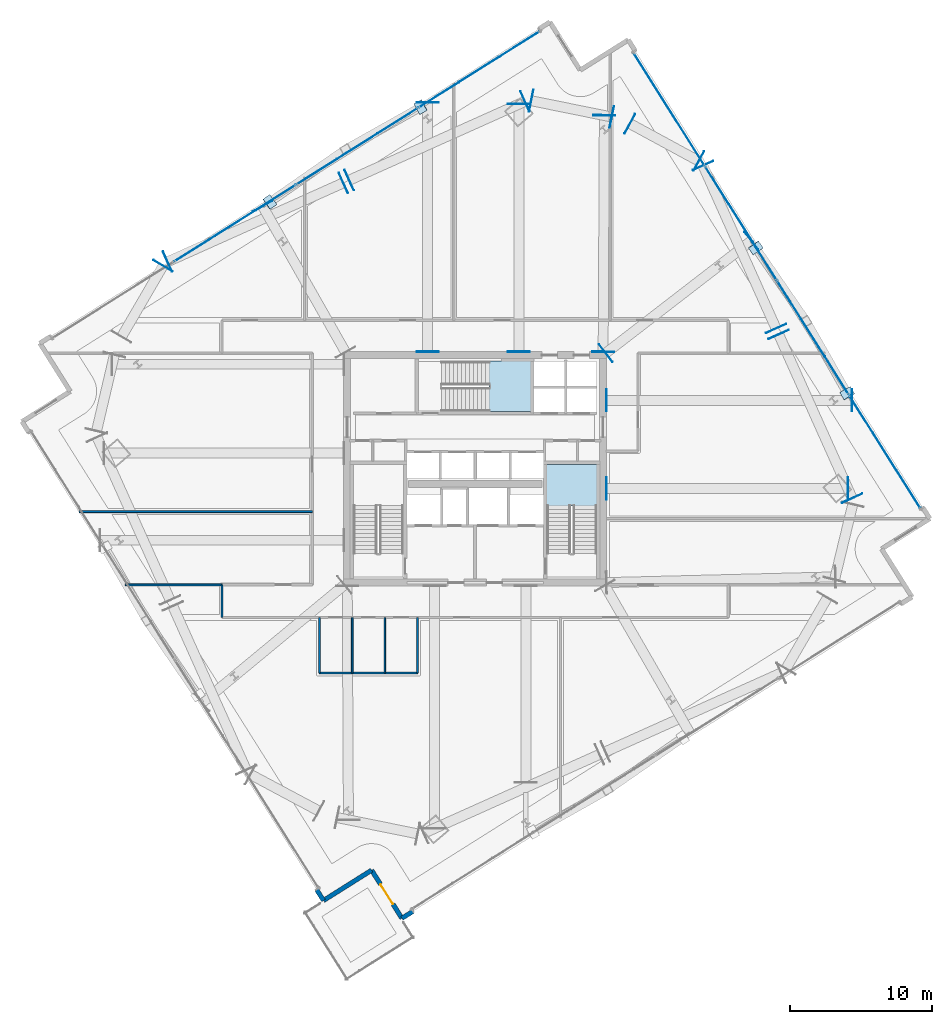
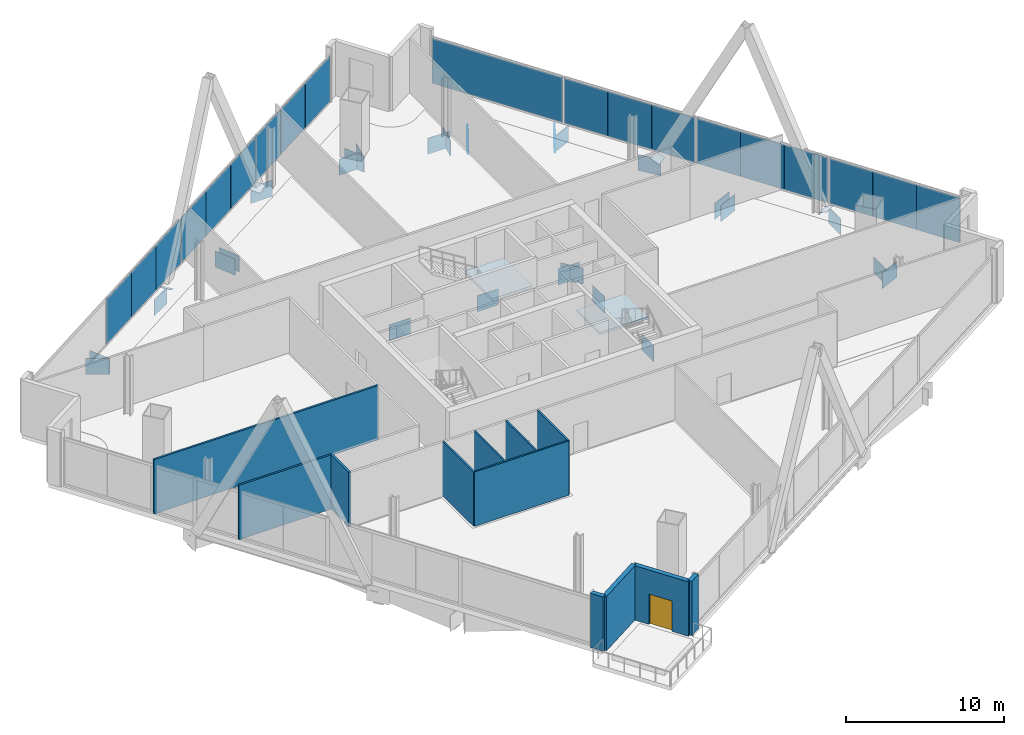
# One storey, part 21 of 29: 49 plates, 12 walls, 2 slabs, 1 door, 1 opening, 4 elements without a shape of their own.
"""IFC4 building model written with IfcOpenShell, lengths in metres."""

from ifc_helpers import new_model, si_unit, direction, frame, frame_2d, origin, origin_2d, place, context, subcontext, project, spatial, polyline, rectangle, outline, extrude, source, transform, mapped, material, layer, layer_set, type_object, element, fill, aggregate, save


model = new_model("IFC4")

# Units and contexts
model_context = context("Model", 3, precision=1e-05, world=origin(), true_north=direction((0.0, 1.0)))
body_context = subcontext(model_context, "Body", "Model", "MODEL_VIEW")
ifc_project = project(units=[si_unit("LENGTHUNIT", "METRE"), si_unit("AREAUNIT", "SQUARE_METRE"), si_unit("VOLUMEUNIT", "CUBIC_METRE"), si_unit("PLANEANGLEUNIT", "RADIAN"), si_unit("MASSUNIT", "GRAM", prefix="KILO")], contexts=[model_context])

# Site, building, storey
site_placement = place(None, origin())
site = spatial("IfcSite", under=ifc_project, at=site_placement, CompositionType="ELEMENT")
building_placement = place(site_placement, origin())
building = spatial("IfcBuilding", under=site, at=building_placement, Name="Haldenkirk Collegiate Tower", CompositionType="ELEMENT")
storey_placement = place(building_placement, frame((0.0, 0.0, 136.199951171875)))
storey = spatial("IfcBuildingStorey", under=building, at=storey_placement, Name="L33", CompositionType="ELEMENT", Elevation=136.199951171875)

# Stair, slab
ifc_material_1 = material(Name="Concrete f'c 40 MPa", Category="concrete")
stair_type = type_object("IfcStairType", Name="STR-DOGLEG-1650", PredefinedType="HALF_TURN_STAIR", material=ifc_material_1)
stair_1_placement = place(storey_placement, origin())
stair_1 = element("IfcStair", 1, at=stair_1_placement, inside=storey, type_object=stair_type, Name="L33 Core Exit Stair ST-2", PredefinedType="HALF_TURN_STAIR")
ifc_layer_1 = layer(ifc_material_1, 0.199951171875)
ifc_layer_set_1 = layer_set([ifc_layer_1], Name="Concrete f'c 40 MPa")
slab_type = type_object("IfcSlabType", Name="SLB-LANDING-200", PredefinedType="LANDING", material=ifc_layer_set_1)
slab_1_placement = place(storey_placement, frame((0.0, 0.0, 2.050048828125)))
slab_1 = element("IfcSlab", 2, at=slab_1_placement, type_object=slab_type, Name="ST-2 landing 1", PredefinedType="LANDING", context=body_context, shape_type="SweptSolid", body=[
    extrude(outline(polyline([(44.574951171875, 23.385009765625), (41.02490234375, 23.385009765625), (41.02490234375, 26.324951171875), (44.574951171875, 26.324951171875), (44.574951171875, 23.385009765625)])), origin(), (0.0, 0.0, 1.0), 0.199951171875),
])
aggregate(stair_1, [slab_1])

stair_2_placement = place(storey_placement, origin())
stair_2 = element("IfcStair", 3, at=stair_2_placement, inside=storey, type_object=stair_type, Name="L33 Core Exit Stair ST-3", PredefinedType="HALF_TURN_STAIR")
slab_2_placement = place(storey_placement, frame((0.0, 0.0, 2.050048828125)))
slab_2 = element("IfcSlab", 4, at=slab_2_placement, type_object=slab_type, Name="ST-3 landing 1", PredefinedType="LANDING", context=body_context, shape_type="SweptSolid", body=[
    extrude(outline(polyline([(36.985107421875, 30.02490234375), (36.985107421875, 33.574951171875), (39.925048828125, 33.574951171875), (39.925048828125, 30.02490234375), (36.985107421875, 30.02490234375)])), origin(), (0.0, 0.0, 1.0), 0.199951171875),
])
aggregate(stair_2, [slab_2])

# Plates
ifc_material_2 = material(Name="Steel ASTM A572 Grade 50", Category="steel")
ifc_layer_2 = layer(ifc_material_2, 0.0400390625)
ifc_layer_set_2 = layer_set([ifc_layer_2], Name="Steel ASTM A572 Grade 50")
plate_type_1 = type_object("IfcPlateType", Name="PLT-CAP-MEGA-1240X980", PredefinedType="USERDEFINED", material=ifc_layer_set_2)
shared_shape_1 = source(origin(), body_context, "Body", "SweptSolid", [
    extrude(rectangle(XDim=1.56005859375, YDim=1.239990234375, at=origin_2d()), origin(), (0.0, 0.0, 1.0), 0.0400390625),
])
for number, where, z_axis, x_axis, name in (
    (5, (62.5068359375, 23.9541015625, -1.14990234375), (0.40912883345, -0.912476628545, 0.0), (0.912476628545, 0.40912883345, 0.0), "L33 sky-lobby perimeter transfer girder 06 end cap plate 1"),
    (6, (57.35693359375, 35.4404296875, -1.14990234375), (-0.40912883345, 0.912476628545, 0.0), (-0.912476628545, -0.40912883345, 0.0), "L33 sky-lobby perimeter transfer girder 06 end cap plate 2"),
    (7, (57.153564453125, 35.89404296875, -1.14990234375), (0.40913207793, -0.912475173804, 0.0), (0.912475173804, 0.40913207793, 0.0), "L33 sky-lobby perimeter transfer girder 07 end cap plate 1"),
    (8, (52.031982421875, 47.31640625, -1.14990234375), (-0.40913207793, 0.912475173804, 0.0), (-0.912475173804, -0.40913207793, 0.0), "L33 sky-lobby perimeter transfer girder 07 end cap plate 2"),
    (9, (51.7119140625, 47.66162109375, -1.14990234375), (0.87882723046, -0.477140125123, 0.0), (0.477140125123, 0.87882723046, 0.0), "L33 sky-lobby perimeter transfer girder 08 end cap plate 1"),
    (10, (46.9033203125, 50.2724609375, -1.14990234375), (-0.87882723046, 0.477140125123, 0.0), (-0.477140125123, -0.87882723046, 0.0), "L33 sky-lobby perimeter transfer girder 08 end cap plate 2"),
    (11, (45.587158203125, 50.750732421875, -1.14990234375), (0.98007090545, -0.198647980836, 0.0), (0.198647980836, 0.98007090545, 0.0), "L33 sky-lobby perimeter transfer girder 09 end cap plate 1"),
    (12, (39.959716796875, 51.8916015625, -1.14990234375), (-0.98007090545, 0.198647980836, 0.0), (-0.198647980836, -0.98007090545, 0.0), "L33 sky-lobby perimeter transfer girder 09 end cap plate 2"),
    (13, (39.489501953125, 51.839111328125, -1.14990234375), (0.912476628545, 0.40912883345, 0.0), (-0.40912883345, 0.912476628545, 0.0), "L33 sky-lobby perimeter transfer girder 10 end cap plate 1"),
    (14, (27.16455078125, 46.31298828125, -1.14990234375), (-0.912476628545, -0.40912883345, 0.0), (0.40912883345, -0.912476628545, 0.0), "L33 sky-lobby perimeter transfer girder 10 end cap plate 2"),
    (15, (26.7109375, 46.109619140625, -1.14990234375), (0.912475714515, 0.409130871996, 0.0), (-0.409130871996, 0.912475714515, 0.0), "L33 sky-lobby perimeter transfer girder 11 end cap plate 1"),
    (16, (14.38623046875, 40.583740234375, -1.14990234375), (-0.912475714515, -0.409130871996, 0.0), (0.409130871996, -0.912475714515, 0.0), "L33 sky-lobby perimeter transfer girder 11 end cap plate 2"),
    (17, (14.034423828125, 40.267333984375, -1.14990234375), (0.503656129049, 0.863904221353, 0.0), (-0.863904221353, 0.503656129049, 0.0), "L33 sky-lobby perimeter transfer girder 12 end cap plate 1"),
    (18, (62.201416015625, 24.62890625, -1.14990234375), (1.0, 0.0, 0.0), (0.0, 1.0, 0.0), "L33 sky-lobby radial transfer girder 02 end cap plate 1"),
    (19, (45.258056640625, 24.62890625, -1.14990234375), (-1.0, 0.0, 0.0), (0.0, -1.0, 0.0), "L33 sky-lobby radial transfer girder 02 end cap plate 2"),
    (20, (39.076904296875, 51.651123046875, -1.14990234375), (0.0, 1.0, 0.0), (-1.0, 0.0, 0.0), "L33 sky-lobby radial transfer girder 03 end cap plate 1"),
    (21, (39.076904296875, 34.258056640625, -1.14990234375), (0.0, -1.0, 0.0), (1.0, 0.0, 0.0), "L33 sky-lobby radial transfer girder 03 end cap plate 2"),
    (22, (62.4794921875, 30.82421875, -1.14990234375), (1.0, 0.0, 0.0), (0.0, 1.0, 0.0), "L33 sky-lobby radial transfer girder 08 end cap plate 1"),
    (23, (45.258056640625, 30.82421875, -1.14990234375), (-1.0, 0.0, 0.0), (0.0, -1.0, 0.0), "L33 sky-lobby radial transfer girder 08 end cap plate 2"),
    (24, (55.416015625, 42.0400390625, -1.14990234375), (0.791605934985, 0.611031949816, 0.0), (-0.611031949816, 0.791605934985, 0.0), "L33 sky-lobby radial transfer girder 09 end cap plate 1"),
    (25, (45.204345703125, 34.15771484375, -1.14990234375), (-0.791605934985, -0.611031949816, 0.0), (0.611031949816, -0.791605934985, 0.0), "L33 sky-lobby radial transfer girder 09 end cap plate 2"),
    (26, (45.0849609375, 50.849609375, -1.14990234375), (0.005037001583, 0.999987314227, 0.0), (-0.999987314227, 0.005037001583, 0.0), "L33 sky-lobby radial transfer girder 10 end cap plate 1"),
    (27, (45.001220703125, 34.258056640625, -1.14990234375), (-0.005037001583, -0.999987314227, 0.0), (0.999987314227, -0.005037001583, 0.0), "L33 sky-lobby radial transfer girder 10 end cap plate 2"),
    (28, (32.657470703125, 51.758056640625, -1.14990234375), (0.0, 1.0, 0.0), (-1.0, 0.0, 0.0), "L33 sky-lobby radial transfer girder 11 end cap plate 1"),
    (29, (32.657470703125, 34.258056640625, -1.14990234375), (0.0, -1.0, 0.0), (1.0, 0.0, 0.0), "L33 sky-lobby radial transfer girder 11 end cap plate 2"),
    (30, (21.063232421875, 44.456298828125, -1.14990234375), (-0.493737119363, 0.869611210233, 0.0), (-0.869611210233, -0.493737119363, 0.0), "L33 sky-lobby radial transfer girder 12 end cap plate 1"),
):
    element("IfcPlate", number, at=place(storey_placement, frame(where, z_axis=z_axis, x_axis=x_axis)), inside=storey, type_object=plate_type_1, Name=name, ObjectType="END CAP PLATE", PredefinedType="USERDEFINED", context=body_context, shape_type="MappedRepresentation", body=[
        mapped(shared_shape_1, transform((0.0, 0.0, 0.0), x_axis=(1.0, 0.0, 0.0), y_axis=(0.0, 1.0, 0.0), z_axis=(0.0, 0.0, 1.0), scale=1.0)),
    ])
ifc_layer_3 = layer(ifc_material_2, 0.034912109375)
ifc_layer_set_3 = layer_set([ifc_layer_3], Name="Steel ASTM A572 Grade 50")
plate_type_2 = type_object("IfcPlateType", Name="PLT-CAP-EXT-760X600", PredefinedType="USERDEFINED", material=ifc_layer_set_3)
shared_shape_2 = source(origin(), body_context, "Body", "SweptSolid", [
    extrude(rectangle(XDim=0.860107421875, YDim=0.659912109375, at=origin_2d()), origin(), (0.0, 0.0, 1.0), 0.034912109375),
])
for number, where, z_axis, x_axis, name in (
    (31, (62.162353515625, 31.3330078125, -0.407470703125), (0.213793124675, -0.376348219471, -0.901473525703), (0.869497686663, 0.493937013076, 3.4602e-07), "Perimeter Mega Brace Z3 L33-L35 EL end cap plate 1"),
    (32, (55.739013671875, 41.532958984375, -0.4072265625), (-0.260663962055, 0.377608945032, -0.888518870659), (-0.822964485635, -0.568092822859, 2.83547e-07), "Perimeter Mega Brace Z3 L33-L35 ER end cap plate 1"),
    (33, (32.1484375, 51.440673828125, -0.4072265625), (0.388689008173, 0.218536004595, -0.895077018821), (-0.490088028787, 0.87167294557, 1.03915e-07), "Perimeter Mega Brace Z3 L33-L35 NL end cap plate 1"),
    (34, (21.57080078125, 44.779296875, -0.407470703125), (-0.387378015722, -0.26979001095, -0.881562035779), (0.571506944424, -0.820597229141, -3.29718e-07), "Perimeter Mega Brace Z3 L33-L35 NR end cap plate 1"),
):
    element("IfcPlate", number, at=place(storey_placement, frame(where, z_axis=z_axis, x_axis=x_axis)), inside=storey, type_object=plate_type_2, Name=name, ObjectType="END CAP PLATE", PredefinedType="USERDEFINED", context=body_context, shape_type="MappedRepresentation", body=[
        mapped(shared_shape_2, transform((0.0, 0.0, 0.0), x_axis=(1.0, 0.0, 0.0), y_axis=(0.0, 1.0, 0.0), z_axis=(0.0, 0.0, 1.0), scale=1.0)),
    ])

# Curtain wall, plates
ifc_material_3 = material(Name="Anodised architectural bronze aluminium", Category="aluminium")
curtain_wall_type = type_object("IfcCurtainWallType", Name="CW-SYS4-SKYGARDEN", PredefinedType="USERDEFINED", material=ifc_material_3)
curtain_wall_1_placement = place(storey_placement, origin())
curtain_wall_1 = element("IfcCurtainWall", 35, at=curtain_wall_1_placement, inside=storey, type_object=curtain_wall_type, Name="L33 Sky-garden tall bronze curtain wall", ObjectType="UNITISED CURTAIN WALL", PredefinedType="USERDEFINED")
ifc_material_4 = material(Name="Low-E argon triple insulating glass", Category="glass")
ifc_layer_4 = layer(ifc_material_4, 0.0458984375)
ifc_layer_set_4 = layer_set([ifc_layer_4], Name="Low-E argon triple insulating glass")
plate_type_3 = type_object("IfcPlateType", Name="CW-PNL-04", PredefinedType="CURTAIN_PANEL", material=ifc_layer_set_4)
shared_shape_3 = source(origin(), body_context, "Body", "SweptSolid", [
    extrude(rectangle(XDim=3.3408203125, YDim=0.0458984375, at=origin_2d()), origin(), (0.0, 0.0, 1.0), 3.48095703125),
])
plate_1_placement = place(storey_placement, frame((16.276123046875, 41.492431640625, 0.090087890625), z_axis=(0.0, 0.0, 1.0), x_axis=(0.846192610993, 0.532877157609, 0.0)))
plate_1 = element("IfcPlate", 36, at=plate_1_placement, type_object=plate_type_3, Name="CW-04 panel 2.1a", PredefinedType="CURTAIN_PANEL", context=body_context, shape_type="MappedRepresentation", body=[
    mapped(shared_shape_3, transform((0.0, 0.0, 0.0), x_axis=(1.0, 0.0, 0.0), y_axis=(0.0, 1.0, 0.0), z_axis=(0.0, 0.0, 1.0), scale=1.0)),
])
ifc_material_5 = material(Name="Bronze-anodised insulated aluminium spandrel panel", Category="aluminium")
ifc_layer_5 = layer(ifc_material_5, 0.0458984375)
ifc_layer_set_5 = layer_set([ifc_layer_5], Name="Bronze-anodised insulated aluminium spandrel panel")
plate_type_4 = type_object("IfcPlateType", Name="CW-SPD-04", PredefinedType="CURTAIN_PANEL", material=ifc_layer_set_5)
plate_2_placement = place(storey_placement, frame((21.9619140625, 45.072998046875, 0.090087890625), z_axis=(0.0, 0.0, 1.0), x_axis=(0.846192610993, 0.532877157609, 0.0)))
plate_2 = element("IfcPlate", 37, at=plate_2_placement, type_object=plate_type_4, Name="CW-04 spandrel panel 2.1c", PredefinedType="CURTAIN_PANEL", context=body_context, shape_type="MappedRepresentation", body=[
    mapped(shared_shape_3, transform((0.0, 0.0, 0.0), x_axis=(1.0, 0.0, 0.0), y_axis=(0.0, 1.0, 0.0), z_axis=(0.0, 0.0, 1.0), scale=1.0)),
])
plate_3_placement = place(storey_placement, frame((24.864990234375, 46.901123046875, 0.090087890625), z_axis=(0.0, 0.0, 1.0), x_axis=(0.846192610993, 0.532877157609, 0.0)))
plate_3 = element("IfcPlate", 38, at=plate_3_placement, type_object=plate_type_4, Name="CW-04 spandrel panel 3.1a", PredefinedType="CURTAIN_PANEL", context=body_context, shape_type="MappedRepresentation", body=[
    mapped(shared_shape_3, transform((0.0, 0.0, 0.0), x_axis=(1.0, 0.0, 0.0), y_axis=(0.0, 1.0, 0.0), z_axis=(0.0, 0.0, 1.0), scale=1.0)),
])
plate_4_placement = place(storey_placement, frame((30.55078125, 50.481689453125, 0.090087890625), z_axis=(0.0, 0.0, 1.0), x_axis=(0.846192610993, 0.532877157609, 0.0)))
plate_4 = element("IfcPlate", 39, at=plate_4_placement, type_object=plate_type_4, Name="CW-04 spandrel panel 3.1c", PredefinedType="CURTAIN_PANEL", context=body_context, shape_type="MappedRepresentation", body=[
    mapped(shared_shape_3, transform((0.0, 0.0, 0.0), x_axis=(1.0, 0.0, 0.0), y_axis=(0.0, 1.0, 0.0), z_axis=(0.0, 0.0, 1.0), scale=1.0)),
])
shared_shape_4 = source(origin(), body_context, "Body", "SweptSolid", [
    extrude(rectangle(XDim=3.328369140625, YDim=0.0458984375, at=origin_2d()), origin(), (0.0, 0.0, 1.0), 3.48095703125),
])
plate_5_placement = place(storey_placement, frame((19.118896484375, 43.28271484375, 0.090087890625), z_axis=(0.0, 0.0, 1.0), x_axis=(0.846192610993, 0.532877157609, 0.0)))
plate_5 = element("IfcPlate", 40, at=plate_5_placement, type_object=plate_type_3, Name="CW-04 panel 2.1b", PredefinedType="CURTAIN_PANEL", context=body_context, shape_type="MappedRepresentation", body=[
    mapped(shared_shape_4, transform((0.0, 0.0, 0.0), x_axis=(1.0, 0.0, 0.0), y_axis=(0.0, 1.0, 0.0), z_axis=(0.0, 0.0, 1.0), scale=1.0)),
])
plate_6_placement = place(storey_placement, frame((27.707763671875, 48.69140625, 0.090087890625), z_axis=(0.0, 0.0, 1.0), x_axis=(0.846192610993, 0.532877157609, 0.0)))
plate_6 = element("IfcPlate", 41, at=plate_6_placement, type_object=plate_type_3, Name="CW-04 panel 3.1b", PredefinedType="CURTAIN_PANEL", context=body_context, shape_type="MappedRepresentation", body=[
    mapped(shared_shape_4, transform((0.0, 0.0, 0.0), x_axis=(1.0, 0.0, 0.0), y_axis=(0.0, 1.0, 0.0), z_axis=(0.0, 0.0, 1.0), scale=1.0)),
])
shared_shape_5 = source(origin(), body_context, "Body", "SweptSolid", [
    extrude(rectangle(XDim=3.32568359375, YDim=0.0458984375, at=origin_2d()), origin(), (0.0, 0.0, 1.0), 3.48095703125),
])
plate_7_placement = place(storey_placement, frame((33.447509765625, 52.305908203125, 0.090087890625), z_axis=(0.0, 0.0, 1.0), x_axis=(0.846192610993, 0.532877157609, 0.0)))
plate_7 = element("IfcPlate", 42, at=plate_7_placement, type_object=plate_type_4, Name="CW-04 spandrel panel 4.1a", PredefinedType="CURTAIN_PANEL", context=body_context, shape_type="MappedRepresentation", body=[
    mapped(shared_shape_5, transform((0.0, 0.0, 0.0), x_axis=(1.0, 0.0, 0.0), y_axis=(0.0, 1.0, 0.0), z_axis=(0.0, 0.0, 1.0), scale=1.0)),
])
plate_8_placement = place(storey_placement, frame((39.10791015625, 55.870361328125, 0.090087890625), z_axis=(0.0, 0.0, 1.0), x_axis=(0.846192610993, 0.532877157609, 0.0)))
plate_8 = element("IfcPlate", 43, at=plate_8_placement, type_object=plate_type_3, Name="CW-04 panel 4.1c", PredefinedType="CURTAIN_PANEL", context=body_context, shape_type="MappedRepresentation", body=[
    mapped(shared_shape_5, transform((0.0, 0.0, 0.0), x_axis=(1.0, 0.0, 0.0), y_axis=(0.0, 1.0, 0.0), z_axis=(0.0, 0.0, 1.0), scale=1.0)),
])
shared_shape_6 = source(origin(), body_context, "Body", "SweptSolid", [
    extrude(rectangle(XDim=3.313232421875, YDim=0.0458984375, at=origin_2d()), origin(), (0.0, 0.0, 1.0), 3.48095703125),
])
plate_9_placement = place(storey_placement, frame((36.277587890625, 54.088134765625, 0.090087890625), z_axis=(0.0, 0.0, 1.0), x_axis=(0.846192610993, 0.532877157609, 0.0)))
plate_9 = element("IfcPlate", 44, at=plate_9_placement, type_object=plate_type_3, Name="CW-04 panel 4.1b", PredefinedType="CURTAIN_PANEL", context=body_context, shape_type="MappedRepresentation", body=[
    mapped(shared_shape_6, transform((0.0, 0.0, 0.0), x_axis=(1.0, 0.0, 0.0), y_axis=(0.0, 1.0, 0.0), z_axis=(0.0, 0.0, 1.0), scale=1.0)),
])
aggregate(curtain_wall_1, [plate_1, plate_5, plate_2, plate_3, plate_6, plate_4, plate_7, plate_9, plate_8])

curtain_wall_2_placement = place(storey_placement, origin())
curtain_wall_2 = element("IfcCurtainWall", 45, at=curtain_wall_2_placement, inside=storey, type_object=curtain_wall_type, Name="L33 Sky-garden tall bronze curtain wall", ObjectType="UNITISED CURTAIN WALL", PredefinedType="USERDEFINED")
shared_shape_7 = source(origin(), body_context, "Body", "SweptSolid", [
    extrude(rectangle(XDim=9.364990234375, YDim=0.0458984375, at=origin_2d()), origin(), (0.0, 0.0, 1.0), 3.48095703125),
])
plate_10_placement = place(storey_placement, frame((49.6435546875, 51.287109375, 0.090087890625), z_axis=(0.0, 0.0, 1.0), x_axis=(0.532876782879, -0.846192846973, 0.0)))
plate_10 = element("IfcPlate", 46, at=plate_10_placement, type_object=plate_type_3, Name="CW-04 panel 1.1", PredefinedType="CURTAIN_PANEL", context=body_context, shape_type="MappedRepresentation", body=[
    mapped(shared_shape_7, transform((0.0, 0.0, 0.0), x_axis=(1.0, 0.0, 0.0), y_axis=(0.0, 1.0, 0.0), z_axis=(0.0, 0.0, 1.0), scale=1.0)),
])
shared_shape_8 = source(origin(), body_context, "Body", "SweptSolid", [
    extrude(rectangle(XDim=3.124267578125, YDim=0.0458984375, at=origin_2d()), origin(), (0.0, 0.0, 1.0), 3.48095703125),
])
plate_11_placement = place(storey_placement, frame((53.01904296875, 45.927001953125, 0.090087890625), z_axis=(0.0, 0.0, 1.0), x_axis=(0.532876782879, -0.846192846973, 0.0)))
plate_11 = element("IfcPlate", 47, at=plate_11_placement, type_object=plate_type_3, Name="CW-04 panel 2.1a", PredefinedType="CURTAIN_PANEL", context=body_context, shape_type="MappedRepresentation", body=[
    mapped(shared_shape_8, transform((0.0, 0.0, 0.0), x_axis=(1.0, 0.0, 0.0), y_axis=(0.0, 1.0, 0.0), z_axis=(0.0, 0.0, 1.0), scale=1.0)),
])
plate_12_placement = place(storey_placement, frame((56.36865234375, 40.60791015625, 0.090087890625), z_axis=(0.0, 0.0, 1.0), x_axis=(0.532876782879, -0.846192846973, 0.0)))
plate_12 = element("IfcPlate", 48, at=plate_12_placement, type_object=plate_type_4, Name="CW-04 spandrel panel 2.1c", PredefinedType="CURTAIN_PANEL", context=body_context, shape_type="MappedRepresentation", body=[
    mapped(shared_shape_8, transform((0.0, 0.0, 0.0), x_axis=(1.0, 0.0, 0.0), y_axis=(0.0, 1.0, 0.0), z_axis=(0.0, 0.0, 1.0), scale=1.0)),
])
plate_13_placement = place(storey_placement, frame((58.081298828125, 37.887939453125, 0.090087890625), z_axis=(0.0, 0.0, 1.0), x_axis=(0.532876782879, -0.846192846973, 0.0)))
plate_13 = element("IfcPlate", 49, at=plate_13_placement, type_object=plate_type_3, Name="CW-04 panel 3.1a", PredefinedType="CURTAIN_PANEL", context=body_context, shape_type="MappedRepresentation", body=[
    mapped(shared_shape_8, transform((0.0, 0.0, 0.0), x_axis=(1.0, 0.0, 0.0), y_axis=(0.0, 1.0, 0.0), z_axis=(0.0, 0.0, 1.0), scale=1.0)),
])
plate_14_placement = place(storey_placement, frame((61.430908203125, 32.569091796875, 0.090087890625), z_axis=(0.0, 0.0, 1.0), x_axis=(0.532876782879, -0.846192846973, 0.0)))
plate_14 = element("IfcPlate", 50, at=plate_14_placement, type_object=plate_type_4, Name="CW-04 spandrel panel 3.1c", PredefinedType="CURTAIN_PANEL", context=body_context, shape_type="MappedRepresentation", body=[
    mapped(shared_shape_8, transform((0.0, 0.0, 0.0), x_axis=(1.0, 0.0, 0.0), y_axis=(0.0, 1.0, 0.0), z_axis=(0.0, 0.0, 1.0), scale=1.0)),
])
shared_shape_9 = source(origin(), body_context, "Body", "SweptSolid", [
    extrude(rectangle(XDim=3.11181640625, YDim=0.0458984375, at=origin_2d()), origin(), (0.0, 0.0, 1.0), 3.48095703125),
])
plate_15_placement = place(storey_placement, frame((54.69384765625, 43.267333984375, 0.090087890625), z_axis=(0.0, 0.0, 1.0), x_axis=(0.532876782879, -0.846192846973, 0.0)))
plate_15 = element("IfcPlate", 51, at=plate_15_placement, type_object=plate_type_3, Name="CW-04 panel 2.1b", PredefinedType="CURTAIN_PANEL", context=body_context, shape_type="MappedRepresentation", body=[
    mapped(shared_shape_9, transform((0.0, 0.0, 0.0), x_axis=(1.0, 0.0, 0.0), y_axis=(0.0, 1.0, 0.0), z_axis=(0.0, 0.0, 1.0), scale=1.0)),
])
plate_16_placement = place(storey_placement, frame((59.756103515625, 35.228515625, 0.090087890625), z_axis=(0.0, 0.0, 1.0), x_axis=(0.532876782879, -0.846192846973, 0.0)))
plate_16 = element("IfcPlate", 52, at=plate_16_placement, type_object=plate_type_3, Name="CW-04 panel 3.1b", PredefinedType="CURTAIN_PANEL", context=body_context, shape_type="MappedRepresentation", body=[
    mapped(shared_shape_9, transform((0.0, 0.0, 0.0), x_axis=(1.0, 0.0, 0.0), y_axis=(0.0, 1.0, 0.0), z_axis=(0.0, 0.0, 1.0), scale=1.0)),
])
shared_shape_10 = source(origin(), body_context, "Body", "SweptSolid", [
    extrude(rectangle(XDim=3.109130859375, YDim=0.0458984375, at=origin_2d()), origin(), (0.0, 0.0, 1.0), 3.48095703125),
])
plate_17_placement = place(storey_placement, frame((63.139892578125, 29.855712890625, 0.090087890625), z_axis=(0.0, 0.0, 1.0), x_axis=(0.532876782879, -0.846192846973, 0.0)))
plate_17 = element("IfcPlate", 53, at=plate_17_placement, type_object=plate_type_4, Name="CW-04 spandrel panel 4.1a", PredefinedType="CURTAIN_PANEL", context=body_context, shape_type="MappedRepresentation", body=[
    mapped(shared_shape_10, transform((0.0, 0.0, 0.0), x_axis=(1.0, 0.0, 0.0), y_axis=(0.0, 1.0, 0.0), z_axis=(0.0, 0.0, 1.0), scale=1.0)),
])
plate_18_placement = place(storey_placement, frame((66.473388671875, 24.56201171875, 0.090087890625), z_axis=(0.0, 0.0, 1.0), x_axis=(0.532876782879, -0.846192846973, 0.0)))
plate_18 = element("IfcPlate", 54, at=plate_18_placement, type_object=plate_type_3, Name="CW-04 panel 4.1c", PredefinedType="CURTAIN_PANEL", context=body_context, shape_type="MappedRepresentation", body=[
    mapped(shared_shape_10, transform((0.0, 0.0, 0.0), x_axis=(1.0, 0.0, 0.0), y_axis=(0.0, 1.0, 0.0), z_axis=(0.0, 0.0, 1.0), scale=1.0)),
])
shared_shape_11 = source(origin(), body_context, "Body", "SweptSolid", [
    extrude(rectangle(XDim=3.0966796875, YDim=0.0458984375, at=origin_2d()), origin(), (0.0, 0.0, 1.0), 3.48095703125),
])
plate_19_placement = place(storey_placement, frame((64.806396484375, 27.208740234375, 0.090087890625), z_axis=(0.0, 0.0, 1.0), x_axis=(0.532876782879, -0.846192846973, 0.0)))
plate_19 = element("IfcPlate", 55, at=plate_19_placement, type_object=plate_type_3, Name="CW-04 panel 4.1b", PredefinedType="CURTAIN_PANEL", context=body_context, shape_type="MappedRepresentation", body=[
    mapped(shared_shape_11, transform((0.0, 0.0, 0.0), x_axis=(1.0, 0.0, 0.0), y_axis=(0.0, 1.0, 0.0), z_axis=(0.0, 0.0, 1.0), scale=1.0)),
])
aggregate(curtain_wall_2, [plate_10, plate_11, plate_15, plate_12, plate_13, plate_16, plate_14, plate_17, plate_19, plate_18])

# Walls
ifc_material_6 = material(Name="Precast concrete f'c 40 MPa", Category="concrete")
ifc_layer_6 = layer(ifc_material_6, 0.320068359375)
ifc_layer_set_6 = layer_set([ifc_layer_6], Name="Precast concrete f'c 40 MPa")
wall_type_1 = type_object("IfcWallType", Name="WL-EXT-TWR-320", PredefinedType="STANDARD", material=ifc_layer_set_6)
wall_1_placement = place(storey_placement, frame((31.611328125, -5.1259765625, 0.0), z_axis=(0.0, 0.0, 1.0), x_axis=(-0.846164898331, -0.53292116193, 0.0)))
element("IfcWall", 56, at=wall_1_placement, inside=storey, type_object=wall_type_1, Name="L33 precast corner pier SR", PredefinedType="STANDARD", context=body_context, shape_type="SweptSolid", body=[
    extrude(rectangle(XDim=0.900146484375, YDim=0.320068359375, at=frame_2d((0.4501953125, 0.0))), origin(), (0.0, 0.0, 1.0), 4.2099609375),
])
wall_2_placement = place(storey_placement, frame((25.33349609375, -4.352294921875, 0.0), z_axis=(0.0, 0.0, 1.0), x_axis=(-0.532849248186, 0.846210185892, 0.0)))
element("IfcWall", 57, at=wall_2_placement, inside=storey, type_object=wall_type_1, Name="L33 precast corner pier WL", PredefinedType="STANDARD", context=body_context, shape_type="SweptSolid", body=[
    extrude(rectangle(XDim=0.89990234375, YDim=0.320068359375, at=frame_2d((0.449951171875, 0.0))), origin(), (0.0, 0.0, 1.0), 4.2099609375),
])
wall_3_placement = place(storey_placement, frame((28.71826171875, -2.220703125, 0.0), z_axis=(0.0, 0.0, 1.0), x_axis=(-0.846182893569, -0.532892588268, 0.0)))
element("IfcWall", 58, at=wall_3_placement, inside=storey, type_object=wall_type_1, Name="L33 bronze precast notch wall 11", PredefinedType="STANDARD", context=body_context, shape_type="SweptSolid", body=[
    extrude(rectangle(XDim=4.0, YDim=0.320068359375, at=frame_2d((2.0, 0.0))), origin(), (0.0, 0.0, 1.0), 4.2099609375),
])

# Wall, opening, door
wall_4_placement = place(storey_placement, frame((30.849609375, -5.605712890625, 0.0), z_axis=(0.0, 0.0, 1.0), x_axis=(-0.532821363479, 0.846227743944, 0.0)))
wall_4 = element("IfcWall", 59, at=wall_4_placement, inside=storey, type_object=wall_type_1, Name="L33 bronze precast notch wall 12", PredefinedType="STANDARD", context=body_context, shape_type="SweptSolid", body=[
    extrude(rectangle(XDim=4.0, YDim=0.320068359375, at=frame_2d((2.0, 0.0))), origin(), (0.0, 0.0, 1.0), 4.2099609375),
])
opening_placement = place(wall_4_placement, frame((1.175048828125, 0.0, 0.0)))
opening = element("IfcOpeningElement", 60, at=opening_placement, cuts=wall_4, Name="Opening D-SG16", PredefinedType="OPENING", context=body_context, shape_type="SweptSolid", body=[
    extrude(rectangle(XDim=1.64990234375, YDim=2.35009765625, at=frame_2d((0.824951171875, 1.175048828125))), frame((0.0, 0.169921875, 0.0), z_axis=(0.0, -1.0, 0.0), x_axis=(1.0, 0.0, 0.0)), (0.0, 0.0, 1.0), 0.340087890625),
])
ifc_layer_7 = layer(ifc_material_3, 0.080078125)
ifc_layer_set_7 = layer_set([ifc_layer_7], Name="Anodised architectural bronze aluminium")
door_type = type_object("IfcDoorType", Name="DR-EXT-SGAR-1650", OperationType="NOTDEFINED", PredefinedType="DOOR", material=ifc_layer_set_7)
door_placement = place(opening_placement, origin())
door = element("IfcDoor", 61, at=door_placement, inside=storey, type_object=door_type, Name="L33 sky-garden door", OperationType="DOUBLE_DOOR_SINGLE_SWING", OverallHeight=2.35009765625, OverallWidth=1.64990234375, PredefinedType="DOOR", context=body_context, shape_type="SweptSolid", body=[
    extrude(rectangle(XDim=1.64990234375, YDim=2.35009765625, at=frame_2d((0.824951171875, 1.175048828125))), frame((0.0, 0.02490234375, 0.0), z_axis=(0.0, -1.0, 0.0), x_axis=(1.0, 0.0, 0.0)), (0.0, 0.0, 1.0), 0.050048828125),
])
fill(opening, door)

# Walls
ifc_material_7 = material(Name="Acoustic fire-rated gypsum partition", Category="concrete")
ifc_layer_8 = layer(ifc_material_7, 0.159912109375)
ifc_layer_set_8 = layer_set([ifc_layer_8], Name="Acoustic fire-rated gypsum partition")
wall_type_2 = type_object("IfcWallType", Name="WL-INT-CORR-160", PredefinedType="PARTITIONING", material=ifc_layer_set_8)
wall_5_placement = place(storey_placement, frame((18.199951171875, 15.550048828125, 0.0), z_axis=(0.0, 0.0, 1.0), x_axis=(0.0, 1.0, 0.0)))
element("IfcWall", 62, at=wall_5_placement, inside=storey, type_object=wall_type_2, Name="L33 interior partition IW-L33-CSL", PredefinedType="PARTITIONING", context=body_context, shape_type="SweptSolid", body=[
    extrude(rectangle(XDim=2.300048828125, YDim=0.159912109375, at=frame_2d((1.14990234375, 0.0))), origin(), (0.0, 0.0, 1.0), 4.2099609375),
])
ifc_layer_9 = layer(ifc_material_7, 0.139892578125)
ifc_layer_set_9 = layer_set([ifc_layer_9], Name="Acoustic fire-rated gypsum partition")
wall_type_3 = type_object("IfcWallType", Name="WL-INT-DIV-140", PredefinedType="PARTITIONING", material=ifc_layer_set_9)
wall_6_placement = place(storey_placement, frame((11.399169921875, 17.85009765625, 0.0), z_axis=(0.0, 0.0, 1.0), x_axis=(1.0, 0.0, 0.0)))
element("IfcWall", 63, at=wall_6_placement, inside=storey, type_object=wall_type_3, Name="L33 interior partition IW-L33-BWS", PredefinedType="PARTITIONING", context=body_context, shape_type="SweptSolid", body=[
    extrude(rectangle(XDim=6.80078125, YDim=0.139892578125, at=frame_2d((3.400390625, 0.0))), origin(), (0.0, 0.0, 1.0), 4.2099609375),
])
wall_7_placement = place(storey_placement, frame((8.156005859375, 23.0, 0.0), z_axis=(0.0, 0.0, 1.0), x_axis=(1.0, 0.0, 0.0)))
element("IfcWall", 64, at=wall_7_placement, inside=storey, type_object=wall_type_3, Name="L33 interior partition IW-L33-RW1", PredefinedType="PARTITIONING", context=body_context, shape_type="SweptSolid", body=[
    extrude(rectangle(XDim=16.39404296875, YDim=0.139892578125, at=frame_2d((8.197021484375, 0.0))), origin(), (0.0, 0.0, 1.0), 4.2099609375),
])
ifc_layer_10 = layer(ifc_material_7, 0.1201171875)
ifc_layer_set_10 = layer_set([ifc_layer_10], Name="Acoustic fire-rated gypsum partition")
wall_type_4 = type_object("IfcWallType", Name="WL-INT-WET-120", PredefinedType="PARTITIONING", material=ifc_layer_set_10)
for number, where, z_axis, x_axis, name in (
    (65, (25.050048828125, 11.64990234375, 0.0), (0.0, 0.0, 1.0), (0.0, 1.0, 0.0), "L33 interior partition IW-L33-WCW"),
    (66, (27.35009765625, 11.64990234375, 0.0), (0.0, 0.0, 1.0), (0.0, 1.0, 0.0), "L33 interior partition IW-L33-WC1"),
    (67, (29.64990234375, 11.64990234375, 0.0), (0.0, 0.0, 1.0), (0.0, 1.0, 0.0), "L33 interior partition IW-L33-WC2"),
    (68, (31.949951171875, 11.64990234375, 0.0), (0.0, 0.0, 1.0), (0.0, 1.0, 0.0), "L33 interior partition IW-L33-WCE"),
):
    element("IfcWall", number, at=place(storey_placement, frame(where, z_axis=z_axis, x_axis=x_axis)), inside=storey, type_object=wall_type_4, Name=name, PredefinedType="PARTITIONING", context=body_context, shape_type="SweptSolid", body=[
        extrude(rectangle(XDim=3.900146484375, YDim=0.1201171875, at=frame_2d((1.9501953125, 0.0))), origin(), (0.0, 0.0, 1.0), 4.2099609375),
    ])
wall_8_placement = place(storey_placement, frame((25.050048828125, 11.64990234375, 0.0), z_axis=(0.0, 0.0, 1.0), x_axis=(1.0, 0.0, 0.0)))
element("IfcWall", 69, at=wall_8_placement, inside=storey, type_object=wall_type_4, Name="L33 interior partition IW-L33-WCB", PredefinedType="PARTITIONING", context=body_context, shape_type="SweptSolid", body=[
    extrude(rectangle(XDim=6.89990234375, YDim=0.1201171875, at=frame_2d((3.449951171875, 0.0))), origin(), (0.0, 0.0, 1.0), 4.2099609375),
])

save(model, "model.ifc")
